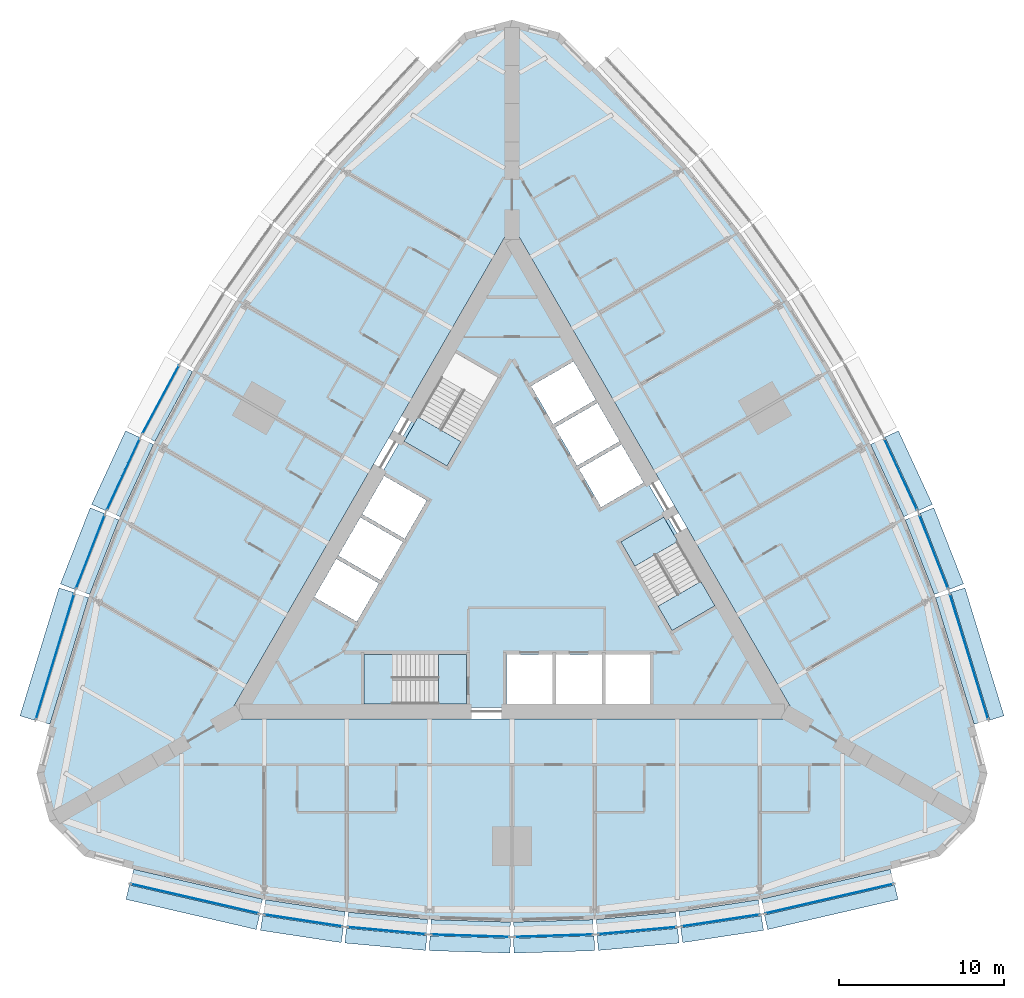
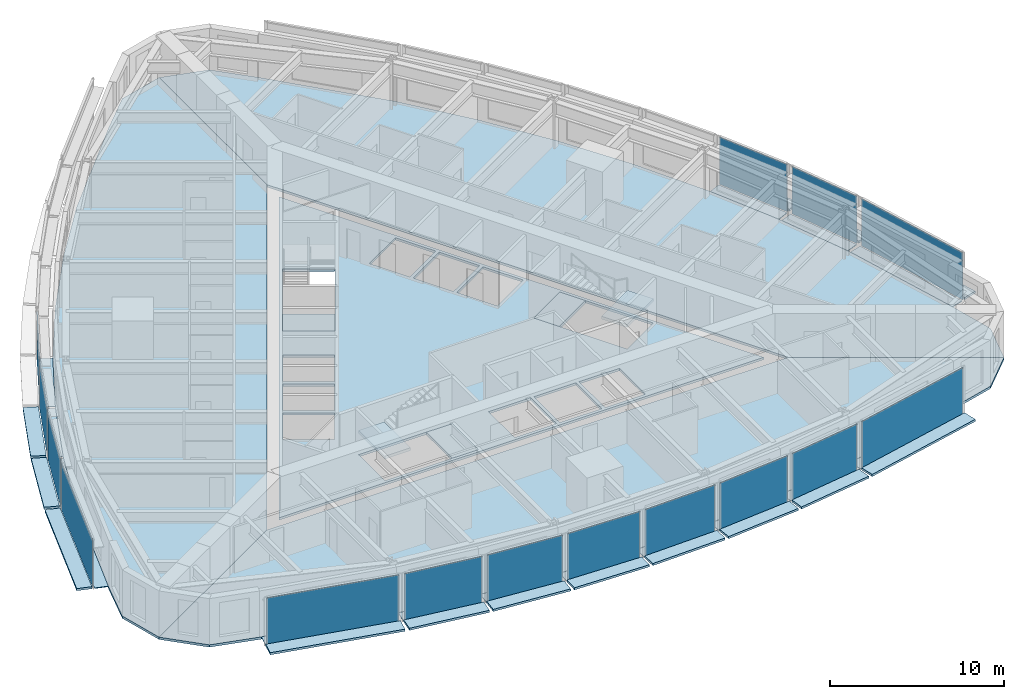
# One storey, part 6 of 14: 44 plates, 9 slabs, 18 elements without a shape of their own.
"""IFC4 building model written with IfcOpenShell, lengths in metres."""

from ifc_helpers import new_model, si_unit, direction, frame, origin, origin_2d, place, context, subcontext, project, spatial, polyline, rectangle, outline, extrude, material, layer, layer_set, type_object, element, aggregate, save


model = new_model("IFC4")

# Units and contexts
model_context = context("Model", 3, precision=1e-05, world=origin(), true_north=direction((0.0, 1.0)))
body_context = subcontext(model_context, "Body", "Model", "MODEL_VIEW")
ifc_project = project(units=[si_unit("LENGTHUNIT", "METRE"), si_unit("AREAUNIT", "SQUARE_METRE"), si_unit("VOLUMEUNIT", "CUBIC_METRE"), si_unit("PLANEANGLEUNIT", "RADIAN"), si_unit("MASSUNIT", "GRAM", prefix="KILO")], contexts=[model_context])

# Site, building, storey
site_placement = place(None, origin())
site = spatial("IfcSite", under=ifc_project, at=site_placement, CompositionType="ELEMENT")
building_placement = place(site_placement, origin())
building = spatial("IfcBuilding", under=site, at=building_placement, Name="Trikona Tower", CompositionType="ELEMENT")
storey_placement = place(building_placement, frame((0.0, 0.0, 55.699951171875)))
storey = spatial("IfcBuildingStorey", under=building, at=storey_placement, Name="L13", CompositionType="ELEMENT", Elevation=55.699951171875)

# Plates
ifc_material_1 = material(Name="Aluminium bar grating", Category="aluminium")
ifc_layer_1 = layer(ifc_material_1, 0.050048828125)
ifc_layer_set_1 = layer_set([ifc_layer_1], Name="Cavity catwalk grating")
plate_type_1 = type_object("IfcPlateType", Name="Cavity catwalk grating", PredefinedType="USERDEFINED", material=ifc_layer_set_1)
plate_1_placement = place(storey_placement, frame((-19.09228515625, -20.377197265625, -0.0498046875), z_axis=(0.0, 0.0, 1.0), x_axis=(0.974277718622, -0.225350675607, 0.0)))
element("IfcPlate", 1, at=plate_1_placement, inside=storey, type_object=plate_type_1, Name="Cavity catwalk L13-00", ObjectType="CATWALK GRATING", PredefinedType="USERDEFINED", context=body_context, shape_type="SweptSolid", body=[
    extrude(rectangle(XDim=8.01123046875, YDim=0.820068359375, at=origin_2d()), origin(), (0.0, 0.0, 1.0), 0.050048828125),
])
plate_2_placement = place(storey_placement, frame((-12.561767578125, -21.688720703125, -0.0498046875), z_axis=(0.0, 0.0, 1.0), x_axis=(0.988617896768, -0.150448177754, 0.0)))
element("IfcPlate", 2, at=plate_2_placement, inside=storey, type_object=plate_type_1, Name="Cavity catwalk L13-01", ObjectType="CATWALK GRATING", PredefinedType="USERDEFINED", context=body_context, shape_type="SweptSolid", body=[
    extrude(rectangle(XDim=4.857666015625, YDim=0.820068359375, at=origin_2d()), origin(), (0.0, 0.0, 1.0), 0.050048828125),
])
plate_3_placement = place(storey_placement, frame((-7.537353515625, -22.300537109375, -0.0498046875), z_axis=(0.0, 0.0, 1.0), x_axis=(0.995858098326, -0.090921108655, 0.0)))
element("IfcPlate", 3, at=plate_3_placement, inside=storey, type_object=plate_type_1, Name="Cavity catwalk L13-02", ObjectType="CATWALK GRATING", PredefinedType="USERDEFINED", context=body_context, shape_type="SweptSolid", body=[
    extrude(rectangle(XDim=4.82080078125, YDim=0.820068359375, at=origin_2d()), origin(), (0.0, 0.0, 1.0), 0.050048828125),
])
for number, where, z_axis, x_axis, name in (
    (4, (-2.512451171875, -22.606201171875, -0.0498046875), (0.0, 0.0, 1.0), (0.999537048889, -0.030425119525, 0.0), "Cavity catwalk L13-03"),
    (5, (2.512451171875, -22.606201171875, -0.0498046875), (0.0, 0.0, 1.0), (0.999537048889, 0.030425119525, 0.0), "Cavity catwalk L13-04"),
):
    element("IfcPlate", number, at=place(storey_placement, frame(where, z_axis=z_axis, x_axis=x_axis)), inside=storey, type_object=plate_type_1, Name=name, ObjectType="CATWALK GRATING", PredefinedType="USERDEFINED", context=body_context, shape_type="SweptSolid", body=[
        extrude(rectangle(XDim=4.80224609375, YDim=0.820068359375, at=origin_2d()), origin(), (0.0, 0.0, 1.0), 0.050048828125),
    ])
plate_4_placement = place(storey_placement, frame((7.537353515625, -22.300537109375, -0.0498046875), z_axis=(0.0, 0.0, 1.0), x_axis=(0.995858098326, 0.090921108655, 0.0)))
element("IfcPlate", 6, at=plate_4_placement, inside=storey, type_object=plate_type_1, Name="Cavity catwalk L13-05", ObjectType="CATWALK GRATING", PredefinedType="USERDEFINED", context=body_context, shape_type="SweptSolid", body=[
    extrude(rectangle(XDim=4.82080078125, YDim=0.820068359375, at=origin_2d()), origin(), (0.0, 0.0, 1.0), 0.050048828125),
])
plate_5_placement = place(storey_placement, frame((12.561767578125, -21.688720703125, -0.0498046875), z_axis=(0.0, 0.0, 1.0), x_axis=(0.988617896768, 0.150448177754, 0.0)))
element("IfcPlate", 7, at=plate_5_placement, inside=storey, type_object=plate_type_1, Name="Cavity catwalk L13-06", ObjectType="CATWALK GRATING", PredefinedType="USERDEFINED", context=body_context, shape_type="SweptSolid", body=[
    extrude(rectangle(XDim=4.857666015625, YDim=0.820068359375, at=origin_2d()), origin(), (0.0, 0.0, 1.0), 0.050048828125),
])
for number, where, z_axis, x_axis, name in (
    (8, (19.09228515625, -20.377197265625, -0.0498046875), (0.0, 0.0, 1.0), (0.974277718622, 0.225350675607, 0.0), "Cavity catwalk L13-07"),
    (9, (27.193359375, -6.345947265625, -0.0498046875), (0.0, 0.0, 1.0), (-0.291979449475, 0.956424592471, 0.0), "Cavity catwalk L13-12"),
):
    element("IfcPlate", number, at=place(storey_placement, frame(where, z_axis=z_axis, x_axis=x_axis)), inside=storey, type_object=plate_type_1, Name=name, ObjectType="CATWALK GRATING", PredefinedType="USERDEFINED", context=body_context, shape_type="SweptSolid", body=[
        extrude(rectangle(XDim=8.01123046875, YDim=0.820068359375, at=origin_2d()), origin(), (0.0, 0.0, 1.0), 0.050048828125),
    ])
plate_6_placement = place(storey_placement, frame((25.06396484375, -0.034423828125, -0.0498046875), z_axis=(0.0, 0.0, 1.0), x_axis=(-0.364008876551, 0.931395478726, 0.0)))
element("IfcPlate", 10, at=plate_6_placement, inside=storey, type_object=plate_type_1, Name="Cavity catwalk L13-13", ObjectType="CATWALK GRATING", PredefinedType="USERDEFINED", context=body_context, shape_type="SweptSolid", body=[
    extrude(rectangle(XDim=4.857666015625, YDim=0.820068359375, at=origin_2d()), origin(), (0.0, 0.0, 1.0), 0.050048828125),
])
plate_7_placement = place(storey_placement, frame((23.081298828125, 4.622802734375, -0.0498046875), z_axis=(0.0, 0.0, 1.0), x_axis=(-0.41919381307, 0.907896771161, 0.0)))
element("IfcPlate", 11, at=plate_7_placement, inside=storey, type_object=plate_type_1, Name="Cavity catwalk L13-14", ObjectType="CATWALK GRATING", PredefinedType="USERDEFINED", context=body_context, shape_type="SweptSolid", body=[
    extrude(rectangle(XDim=4.82080078125, YDim=0.820068359375, at=origin_2d()), origin(), (0.0, 0.0, 1.0), 0.050048828125),
])
plate_8_placement = place(storey_placement, frame((-20.833740234375, 9.127197265625, -0.0498046875), z_axis=(0.0, 0.0, 1.0), x_axis=(-0.473422672721, -0.880835383572, 0.0)))
element("IfcPlate", 12, at=plate_8_placement, inside=storey, type_object=plate_type_1, Name="Cavity catwalk L13-28", ObjectType="CATWALK GRATING", PredefinedType="USERDEFINED", context=body_context, shape_type="SweptSolid", body=[
    extrude(rectangle(XDim=4.80224609375, YDim=0.820068359375, at=origin_2d()), origin(), (0.0, 0.0, 1.0), 0.050048828125),
])
plate_9_placement = place(storey_placement, frame((-23.081298828125, 4.622802734375, -0.0498046875), z_axis=(0.0, 0.0, 1.0), x_axis=(-0.41919381307, -0.907896771161, 0.0)))
element("IfcPlate", 13, at=plate_9_placement, inside=storey, type_object=plate_type_1, Name="Cavity catwalk L13-29", ObjectType="CATWALK GRATING", PredefinedType="USERDEFINED", context=body_context, shape_type="SweptSolid", body=[
    extrude(rectangle(XDim=4.82080078125, YDim=0.820068359375, at=origin_2d()), origin(), (0.0, 0.0, 1.0), 0.050048828125),
])
plate_10_placement = place(storey_placement, frame((-25.06396484375, -0.034423828125, -0.0498046875), z_axis=(0.0, 0.0, 1.0), x_axis=(-0.364008876551, -0.931395478726, 0.0)))
element("IfcPlate", 14, at=plate_10_placement, inside=storey, type_object=plate_type_1, Name="Cavity catwalk L13-30", ObjectType="CATWALK GRATING", PredefinedType="USERDEFINED", context=body_context, shape_type="SweptSolid", body=[
    extrude(rectangle(XDim=4.857666015625, YDim=0.820068359375, at=origin_2d()), origin(), (0.0, 0.0, 1.0), 0.050048828125),
])
plate_11_placement = place(storey_placement, frame((-27.193359375, -6.345947265625, -0.0498046875), z_axis=(0.0, 0.0, 1.0), x_axis=(-0.291979449475, -0.956424592471, 0.0)))
element("IfcPlate", 15, at=plate_11_placement, inside=storey, type_object=plate_type_1, Name="Cavity catwalk L13-31", ObjectType="CATWALK GRATING", PredefinedType="USERDEFINED", context=body_context, shape_type="SweptSolid", body=[
    extrude(rectangle(XDim=8.01123046875, YDim=0.820068359375, at=origin_2d()), origin(), (0.0, 0.0, 1.0), 0.050048828125),
])

# Slabs
ifc_material_2 = material(Name="Concrete f'c 5000 psi lightweight on composite steel deck", Category="concrete")
ifc_layer_2 = layer(ifc_material_2, 0.1650390625)
ifc_layer_set_2 = layer_set([ifc_layer_2], Name="Composite floor slab 165")
slab_type_1 = type_object("IfcSlabType", Name="Composite floor slab 165", PredefinedType="FLOOR", material=ifc_layer_set_2)
slab_1_placement = place(storey_placement, frame((0.0, 0.0, -0.1650390625)))
element("IfcSlab", 16, at=slab_1_placement, inside=storey, type_object=slab_type_1, Name="Floor slab L13 core", PredefinedType="FLOOR", context=body_context, shape_type="SweptSolid", body=[
    extrude(outline(polyline([(-16.06689453125, -9.2763671875), (16.06689453125, -9.2763671875), (0.0, 18.552490234375), (-16.06689453125, -9.2763671875)]), holes=[polyline([(12.285400390625, -3.126220703125), (9.185302734375, 2.2431640625), (6.587158203125, 0.7431640625), (9.687255859375, -4.626220703125), (12.285400390625, -3.126220703125)]), polyline([(8.340087890625, -9.06640625), (8.340087890625, -6.086181640625), (5.659912109375, -6.086181640625), (5.659912109375, -9.06640625), (8.340087890625, -9.06640625)]), polyline([(5.390869140625, 2.835205078125), (7.9716796875, 4.3251953125), (6.631591796875, 6.646240234375), (4.05078125, 5.15625), (5.390869140625, 2.835205078125)]), polyline([(2.600830078125, 7.667724609375), (3.94091796875, 5.3466796875), (6.521484375, 6.8369140625), (5.181640625, 9.15771484375), (2.600830078125, 7.667724609375)]), polyline([(5.43994140625, -6.086181640625), (2.659912109375, -6.086181640625), (2.659912109375, -9.06640625), (5.43994140625, -9.06640625), (5.43994140625, -6.086181640625)]), polyline([(3.731689453125, 11.669189453125), (1.15087890625, 10.17919921875), (2.490966796875, 7.858154296875), (5.071533203125, 9.34814453125), (3.731689453125, 11.669189453125)]), polyline([(-0.340087890625, -6.086181640625), (-0.340087890625, -9.06640625), (2.43994140625, -9.06640625), (2.43994140625, -6.086181640625), (-0.340087890625, -6.086181640625)]), polyline([(-3.435302734375, 12.202392578125), (-6.535400390625, 6.8330078125), (-3.937255859375, 5.3330078125), (-0.837158203125, 10.702392578125), (-3.435302734375, 12.202392578125)]), polyline([(-8.949951171875, -9.076416015625), (-2.75, -9.076416015625), (-2.75, -6.076416015625), (-8.949951171875, -6.076416015625), (-8.949951171875, -9.076416015625)]), polyline([(-5.15087890625, 3.2509765625), (-7.731689453125, 4.740966796875), (-9.071533203125, 2.419921875), (-6.490966796875, 0.929931640625), (-5.15087890625, 3.2509765625)]), polyline([(-7.94091796875, -1.581298828125), (-6.600830078125, 0.739501953125), (-9.181640625, 2.2294921875), (-10.521484375, -0.09130859375), (-7.94091796875, -1.581298828125)]), polyline([(-11.9716796875, -2.602783203125), (-9.390869140625, -4.093017578125), (-8.05078125, -1.77197265625), (-10.631591796875, -0.281982421875), (-11.9716796875, -2.602783203125)])]), origin(), (0.0, 0.0, 1.0), 0.1650390625),
])
slab_2_placement = place(storey_placement, frame((0.0, 0.0, -0.1650390625)))
element("IfcSlab", 17, at=slab_2_placement, inside=storey, type_object=slab_type_1, Name="Floor slab L13 south", PredefinedType="FLOOR", context=body_context, shape_type="SweptSolid", body=[
    extrude(outline(polyline([(25.88671875, -18.279052734375), (28.0, -16.165771484375), (17.279296875, -9.976318359375), (-17.279296875, -9.976318359375), (-28.0, -16.165771484375), (-25.88671875, -18.279052734375), (-23.0, -19.052490234375), (-15.0, -20.903076171875), (-10.0, -21.663818359375), (-5.0, -22.120361328125), (0.0, -22.272705078125), (5.0, -22.120361328125), (10.0, -21.663818359375), (15.0, -20.903076171875), (23.0, -19.052490234375), (25.88671875, -18.279052734375)])), origin(), (0.0, 0.0, 1.0), 0.1650390625),
])
slab_3_placement = place(storey_placement, frame((0.0, 0.0, -0.1650390625)))
element("IfcSlab", 18, at=slab_3_placement, inside=storey, type_object=slab_type_1, Name="Floor slab L13 north-east", PredefinedType="FLOOR", context=body_context, shape_type="SweptSolid", body=[
    extrude(outline(polyline([(2.88671875, 31.55810546875), (0.0, 32.33154296875), (0.0, 19.95263671875), (17.279296875, -9.976318359375), (28.0, -16.165771484375), (28.7734375, -13.279052734375), (28.0, -10.392333984375), (25.6025390625, -2.538818359375), (23.761474609375, 2.171630859375), (21.65673828125, 6.72998046875), (19.28857421875, 11.13623046875), (16.65673828125, 15.390380859375), (13.761474609375, 19.4921875), (10.6025390625, 23.44189453125), (5.0, 29.44482421875), (2.88671875, 31.55810546875)])), origin(), (0.0, 0.0, 1.0), 0.1650390625),
])
slab_4_placement = place(storey_placement, frame((0.0, 0.0, -0.1650390625)))
element("IfcSlab", 19, at=slab_4_placement, inside=storey, type_object=slab_type_1, Name="Floor slab L13 north-west", PredefinedType="FLOOR", context=body_context, shape_type="SweptSolid", body=[
    extrude(outline(polyline([(0.0, 19.95263671875), (0.0, 32.33154296875), (-2.88671875, 31.55810546875), (-5.0, 29.44482421875), (-10.6025390625, 23.44189453125), (-13.761474609375, 19.4921875), (-16.65673828125, 15.390380859375), (-19.28857421875, 11.13623046875), (-21.65673828125, 6.72998046875), (-23.761474609375, 2.171630859375), (-25.6025390625, -2.538818359375), (-28.0, -10.392333984375), (-28.7734375, -13.279052734375), (-28.0, -16.165771484375), (-17.279296875, -9.976318359375), (0.0, 19.95263671875)])), origin(), (0.0, 0.0, 1.0), 0.1650390625),
])

# Curtain wall, plate
ifc_material_3 = material(Name="Aluminium curtain wall system", Category="aluminium")
curtain_wall_type = type_object("IfcCurtainWallType", Name="Curtain wall DS1", PredefinedType="NOTDEFINED", material=ifc_material_3)
curtain_wall_1_placement = place(storey_placement, origin())
curtain_wall_1 = element("IfcCurtainWall", 20, at=curtain_wall_1_placement, inside=storey, type_object=curtain_wall_type, Name="Curtain wall DS1 L13", PredefinedType="NOTDEFINED")
ifc_material_4 = material(Name="Laminated clear glass", Category="glass")
ifc_layer_3 = layer(ifc_material_4, 0.028076171875)
ifc_layer_set_3 = layer_set([ifc_layer_3], Name="Glass panel DS1")
plate_type_2 = type_object("IfcPlateType", Name="Glass panel DS1", PredefinedType="CURTAIN_PANEL", material=ifc_layer_set_3)
plate_12_placement = place(storey_placement, frame((-19.202880859375, -20.854736328125, 0.0), z_axis=(0.0, 0.0, 1.0), x_axis=(0.974279427173, -0.225343288756, 0.0)))
plate_12 = element("IfcPlate", 21, at=plate_12_placement, type_object=plate_type_2, Name="CW-DS1 panel 1.1", PredefinedType="CURTAIN_PANEL", context=body_context, shape_type="SweptSolid", body=[
    extrude(rectangle(XDim=7.93115234375, YDim=0.028076171875, at=origin_2d()), origin(), (0.0, 0.0, 1.0), 3.320068359375),
])
aggregate(curtain_wall_1, [plate_12])

curtain_wall_2_placement = place(storey_placement, origin())
curtain_wall_2 = element("IfcCurtainWall", 22, at=curtain_wall_2_placement, inside=storey, type_object=curtain_wall_type, Name="Curtain wall DS1 L13", PredefinedType="NOTDEFINED")
plate_13_placement = place(storey_placement, frame((-12.635498046875, -22.173095703125, 0.0), z_axis=(0.0, 0.0, 1.0), x_axis=(0.988619492156, -0.150437693845, 0.0)))
plate_13 = element("IfcPlate", 23, at=plate_13_placement, type_object=plate_type_2, Name="CW-DS1 panel 1.1", PredefinedType="CURTAIN_PANEL", context=body_context, shape_type="SweptSolid", body=[
    extrude(rectangle(XDim=4.777587890625, YDim=0.028076171875, at=origin_2d()), origin(), (0.0, 0.0, 1.0), 3.320068359375),
])
aggregate(curtain_wall_2, [plate_13])

curtain_wall_3_placement = place(storey_placement, origin())
curtain_wall_3 = element("IfcCurtainWall", 24, at=curtain_wall_3_placement, inside=storey, type_object=curtain_wall_type, Name="Curtain wall DS1 L13", PredefinedType="NOTDEFINED")
plate_14_placement = place(storey_placement, frame((-7.581787109375, -22.788330078125, 0.0), z_axis=(0.0, 0.0, 1.0), x_axis=(0.995857840485, -0.090923932737, 0.0)))
plate_14 = element("IfcPlate", 25, at=plate_14_placement, type_object=plate_type_2, Name="CW-DS1 panel 1.1", PredefinedType="CURTAIN_PANEL", context=body_context, shape_type="SweptSolid", body=[
    extrude(rectangle(XDim=4.74072265625, YDim=0.028076171875, at=origin_2d()), origin(), (0.0, 0.0, 1.0), 3.320068359375),
])
aggregate(curtain_wall_3, [plate_14])

curtain_wall_4_placement = place(storey_placement, origin())
curtain_wall_4 = element("IfcCurtainWall", 26, at=curtain_wall_4_placement, inside=storey, type_object=curtain_wall_type, Name="Curtain wall DS1 L13", PredefinedType="NOTDEFINED")
plate_15_placement = place(storey_placement, frame((-2.52734375, -23.09619140625, 0.0), z_axis=(0.0, 0.0, 1.0), x_axis=(0.999536695965, -0.030436711692, 0.0)))
plate_15 = element("IfcPlate", 27, at=plate_15_placement, type_object=plate_type_2, Name="CW-DS1 panel 1.1", PredefinedType="CURTAIN_PANEL", context=body_context, shape_type="SweptSolid", body=[
    extrude(rectangle(XDim=4.72216796875, YDim=0.028076171875, at=origin_2d()), origin(), (0.0, 0.0, 1.0), 3.320068359375),
])
aggregate(curtain_wall_4, [plate_15])

curtain_wall_5_placement = place(storey_placement, origin())
curtain_wall_5 = element("IfcCurtainWall", 28, at=curtain_wall_5_placement, inside=storey, type_object=curtain_wall_type, Name="Curtain wall DS1 L13", PredefinedType="NOTDEFINED")
plate_16_placement = place(storey_placement, frame((2.52734375, -23.09619140625, 0.0), z_axis=(0.0, 0.0, 1.0), x_axis=(0.999536695965, 0.030436711692, 0.0)))
plate_16 = element("IfcPlate", 29, at=plate_16_placement, type_object=plate_type_2, Name="CW-DS1 panel 1.1", PredefinedType="CURTAIN_PANEL", context=body_context, shape_type="SweptSolid", body=[
    extrude(rectangle(XDim=4.72216796875, YDim=0.028076171875, at=origin_2d()), origin(), (0.0, 0.0, 1.0), 3.320068359375),
])
aggregate(curtain_wall_5, [plate_16])

curtain_wall_6_placement = place(storey_placement, origin())
curtain_wall_6 = element("IfcCurtainWall", 30, at=curtain_wall_6_placement, inside=storey, type_object=curtain_wall_type, Name="Curtain wall DS1 L13", PredefinedType="NOTDEFINED")
plate_17_placement = place(storey_placement, frame((7.581787109375, -22.788330078125, 0.0), z_axis=(0.0, 0.0, 1.0), x_axis=(0.995857840485, 0.090923932737, 0.0)))
plate_17 = element("IfcPlate", 31, at=plate_17_placement, type_object=plate_type_2, Name="CW-DS1 panel 1.1", PredefinedType="CURTAIN_PANEL", context=body_context, shape_type="SweptSolid", body=[
    extrude(rectangle(XDim=4.74072265625, YDim=0.028076171875, at=origin_2d()), origin(), (0.0, 0.0, 1.0), 3.320068359375),
])
aggregate(curtain_wall_6, [plate_17])

curtain_wall_7_placement = place(storey_placement, origin())
curtain_wall_7 = element("IfcCurtainWall", 32, at=curtain_wall_7_placement, inside=storey, type_object=curtain_wall_type, Name="Curtain wall DS1 L13", PredefinedType="NOTDEFINED")
plate_18_placement = place(storey_placement, frame((12.635498046875, -22.173095703125, 0.0), z_axis=(0.0, 0.0, 1.0), x_axis=(0.988619492156, 0.150437693845, 0.0)))
plate_18 = element("IfcPlate", 33, at=plate_18_placement, type_object=plate_type_2, Name="CW-DS1 panel 1.1", PredefinedType="CURTAIN_PANEL", context=body_context, shape_type="SweptSolid", body=[
    extrude(rectangle(XDim=4.777587890625, YDim=0.028076171875, at=origin_2d()), origin(), (0.0, 0.0, 1.0), 3.320068359375),
])
aggregate(curtain_wall_7, [plate_18])

curtain_wall_8_placement = place(storey_placement, origin())
curtain_wall_8 = element("IfcCurtainWall", 34, at=curtain_wall_8_placement, inside=storey, type_object=curtain_wall_type, Name="Curtain wall DS1 L13", PredefinedType="NOTDEFINED")
plate_19_placement = place(storey_placement, frame((19.202880859375, -20.854736328125, 0.0), z_axis=(0.0, 0.0, 1.0), x_axis=(0.974279427173, 0.225343288756, 0.0)))
plate_19 = element("IfcPlate", 35, at=plate_19_placement, type_object=plate_type_2, Name="CW-DS1 panel 1.1", PredefinedType="CURTAIN_PANEL", context=body_context, shape_type="SweptSolid", body=[
    extrude(rectangle(XDim=7.93115234375, YDim=0.028076171875, at=origin_2d()), origin(), (0.0, 0.0, 1.0), 3.320068359375),
])
aggregate(curtain_wall_8, [plate_19])

curtain_wall_9_placement = place(storey_placement, origin())
curtain_wall_9 = element("IfcCurtainWall", 36, at=curtain_wall_9_placement, inside=storey, type_object=curtain_wall_type, Name="Curtain wall DS1 L13", PredefinedType="NOTDEFINED")
plate_20_placement = place(storey_placement, frame((27.662109375, -6.202880859375, 0.0), z_axis=(0.0, 0.0, 1.0), x_axis=(-0.291984287868, 0.956423115383, 0.0)))
plate_20 = element("IfcPlate", 37, at=plate_20_placement, type_object=plate_type_2, Name="CW-DS1 panel 1.1", PredefinedType="CURTAIN_PANEL", context=body_context, shape_type="SweptSolid", body=[
    extrude(rectangle(XDim=7.93115234375, YDim=0.028076171875, at=origin_2d()), origin(), (0.0, 0.0, 1.0), 3.320068359375),
])
aggregate(curtain_wall_9, [plate_20])

curtain_wall_10_placement = place(storey_placement, origin())
curtain_wall_10 = element("IfcCurtainWall", 38, at=curtain_wall_10_placement, inside=storey, type_object=curtain_wall_type, Name="Curtain wall DS1 L13", PredefinedType="NOTDEFINED")
plate_21_placement = place(storey_placement, frame((25.520263671875, 0.14404296875, 0.0), z_axis=(0.0, 0.0, 1.0), x_axis=(-0.36400756977, 0.931395989443, 0.0)))
plate_21 = element("IfcPlate", 39, at=plate_21_placement, type_object=plate_type_2, Name="CW-DS1 panel 1.1", PredefinedType="CURTAIN_PANEL", context=body_context, shape_type="SweptSolid", body=[
    extrude(rectangle(XDim=4.777587890625, YDim=0.028076171875, at=origin_2d()), origin(), (0.0, 0.0, 1.0), 3.320068359375),
])
aggregate(curtain_wall_10, [plate_21])

curtain_wall_11_placement = place(storey_placement, origin())
curtain_wall_11 = element("IfcCurtainWall", 40, at=curtain_wall_11_placement, inside=storey, type_object=curtain_wall_type, Name="Curtain wall DS1 L13", PredefinedType="NOTDEFINED")
plate_22_placement = place(storey_placement, frame((23.5263671875, 4.828125, 0.0), z_axis=(0.0, 0.0, 1.0), x_axis=(-0.419190155352, 0.907898459992, 0.0)))
plate_22 = element("IfcPlate", 41, at=plate_22_placement, type_object=plate_type_2, Name="CW-DS1 panel 1.1", PredefinedType="CURTAIN_PANEL", context=body_context, shape_type="SweptSolid", body=[
    extrude(rectangle(XDim=4.740966796875, YDim=0.028076171875, at=origin_2d()), origin(), (0.0, 0.0, 1.0), 3.320068359375),
])
aggregate(curtain_wall_11, [plate_22])

curtain_wall_12_placement = place(storey_placement, origin())
curtain_wall_12 = element("IfcCurtainWall", 42, at=curtain_wall_12_placement, inside=storey, type_object=curtain_wall_type, Name="Curtain wall DS1 L13", PredefinedType="NOTDEFINED")
plate_23_placement = place(storey_placement, frame((-21.265380859375, 9.359130859375, 0.0), z_axis=(0.0, 0.0, 1.0), x_axis=(-0.473408350896, -0.880843080975, 0.0)))
plate_23 = element("IfcPlate", 43, at=plate_23_placement, type_object=plate_type_2, Name="CW-DS1 panel 1.1", PredefinedType="CURTAIN_PANEL", context=body_context, shape_type="SweptSolid", body=[
    extrude(rectangle(XDim=4.72216796875, YDim=0.028076171875, at=origin_2d()), origin(), (0.0, 0.0, 1.0), 3.320068359375),
])
aggregate(curtain_wall_12, [plate_23])

curtain_wall_13_placement = place(storey_placement, origin())
curtain_wall_13 = element("IfcCurtainWall", 44, at=curtain_wall_13_placement, inside=storey, type_object=curtain_wall_type, Name="Curtain wall DS1 L13", PredefinedType="NOTDEFINED")
plate_24_placement = place(storey_placement, frame((-23.5263671875, 4.828125, 0.0), z_axis=(0.0, 0.0, 1.0), x_axis=(-0.419190155352, -0.907898459992, 0.0)))
plate_24 = element("IfcPlate", 45, at=plate_24_placement, type_object=plate_type_2, Name="CW-DS1 panel 1.1", PredefinedType="CURTAIN_PANEL", context=body_context, shape_type="SweptSolid", body=[
    extrude(rectangle(XDim=4.740966796875, YDim=0.028076171875, at=origin_2d()), origin(), (0.0, 0.0, 1.0), 3.320068359375),
])
aggregate(curtain_wall_13, [plate_24])

curtain_wall_14_placement = place(storey_placement, origin())
curtain_wall_14 = element("IfcCurtainWall", 46, at=curtain_wall_14_placement, inside=storey, type_object=curtain_wall_type, Name="Curtain wall DS1 L13", PredefinedType="NOTDEFINED")
plate_25_placement = place(storey_placement, frame((-25.520263671875, 0.14404296875, 0.0), z_axis=(0.0, 0.0, 1.0), x_axis=(-0.36400756977, -0.931395989443, 0.0)))
plate_25 = element("IfcPlate", 47, at=plate_25_placement, type_object=plate_type_2, Name="CW-DS1 panel 1.1", PredefinedType="CURTAIN_PANEL", context=body_context, shape_type="SweptSolid", body=[
    extrude(rectangle(XDim=4.777587890625, YDim=0.028076171875, at=origin_2d()), origin(), (0.0, 0.0, 1.0), 3.320068359375),
])
aggregate(curtain_wall_14, [plate_25])

curtain_wall_15_placement = place(storey_placement, origin())
curtain_wall_15 = element("IfcCurtainWall", 48, at=curtain_wall_15_placement, inside=storey, type_object=curtain_wall_type, Name="Curtain wall DS1 L13", PredefinedType="NOTDEFINED")
plate_26_placement = place(storey_placement, frame((-27.662109375, -6.202880859375, 0.0), z_axis=(0.0, 0.0, 1.0), x_axis=(-0.291984287868, -0.956423115383, 0.0)))
plate_26 = element("IfcPlate", 49, at=plate_26_placement, type_object=plate_type_2, Name="CW-DS1 panel 1.1", PredefinedType="CURTAIN_PANEL", context=body_context, shape_type="SweptSolid", body=[
    extrude(rectangle(XDim=7.93115234375, YDim=0.028076171875, at=origin_2d()), origin(), (0.0, 0.0, 1.0), 3.320068359375),
])
aggregate(curtain_wall_15, [plate_26])

# Plates
ifc_material_5 = material(Name="Aluminium plate fin, pale anodised, on stainless steel outriggers", Category="steel")
ifc_layer_4 = layer(ifc_material_5, 0.14990234375)
ifc_layer_set_4 = layer_set([ifc_layer_4], Name="Outer skin fin 900")
plate_type_3 = type_object("IfcPlateType", Name="Outer skin fin 900", PredefinedType="USERDEFINED", material=ifc_layer_set_4)
plate_27_placement = place(storey_placement, frame((-19.322265625, -21.37109375, 0.0), z_axis=(0.0, 0.0, 1.0), x_axis=(0.974277718622, -0.225350675607, 0.0)))
element("IfcPlate", 50, at=plate_27_placement, inside=storey, type_object=plate_type_3, Name="Outer skin fin L13-00", ObjectType="FIN", PredefinedType="USERDEFINED", context=body_context, shape_type="SweptSolid", body=[
    extrude(rectangle(XDim=8.09130859375, YDim=0.89990234375, at=origin_2d()), origin(), (0.0, 0.0, 1.0), 0.14990234375),
])
plate_28_placement = place(storey_placement, frame((-12.715087890625, -22.697265625, 0.0), z_axis=(0.0, 0.0, 1.0), x_axis=(0.988617896768, -0.150448177754, 0.0)))
element("IfcPlate", 51, at=plate_28_placement, inside=storey, type_object=plate_type_3, Name="Outer skin fin L13-01", ObjectType="FIN", PredefinedType="USERDEFINED", context=body_context, shape_type="SweptSolid", body=[
    extrude(rectangle(XDim=4.9375, YDim=0.89990234375, at=origin_2d()), origin(), (0.0, 0.0, 1.0), 0.14990234375),
])
plate_29_placement = place(storey_placement, frame((-7.6298828125, -23.316162109375, 0.0), z_axis=(0.0, 0.0, 1.0), x_axis=(0.995858098326, -0.090921108655, 0.0)))
element("IfcPlate", 52, at=plate_29_placement, inside=storey, type_object=plate_type_3, Name="Outer skin fin L13-02", ObjectType="FIN", PredefinedType="USERDEFINED", context=body_context, shape_type="SweptSolid", body=[
    extrude(rectangle(XDim=4.90087890625, YDim=0.89990234375, at=origin_2d()), origin(), (0.0, 0.0, 1.0), 0.14990234375),
])
for number, where, z_axis, x_axis, name in (
    (53, (-2.54345703125, -23.625732421875, 0.0), (0.0, 0.0, 1.0), (0.999537048889, -0.030425119525, 0.0), "Outer skin fin L13-03"),
    (54, (2.54345703125, -23.625732421875, 0.0), (0.0, 0.0, 1.0), (0.999537048889, 0.030425119525, 0.0), "Outer skin fin L13-04"),
):
    element("IfcPlate", number, at=place(storey_placement, frame(where, z_axis=z_axis, x_axis=x_axis)), inside=storey, type_object=plate_type_3, Name=name, ObjectType="FIN", PredefinedType="USERDEFINED", context=body_context, shape_type="SweptSolid", body=[
        extrude(rectangle(XDim=4.88232421875, YDim=0.89990234375, at=origin_2d()), origin(), (0.0, 0.0, 1.0), 0.14990234375),
    ])
plate_30_placement = place(storey_placement, frame((7.6298828125, -23.316162109375, 0.0), z_axis=(0.0, 0.0, 1.0), x_axis=(0.995858098326, 0.090921108655, 0.0)))
element("IfcPlate", 55, at=plate_30_placement, inside=storey, type_object=plate_type_3, Name="Outer skin fin L13-05", ObjectType="FIN", PredefinedType="USERDEFINED", context=body_context, shape_type="SweptSolid", body=[
    extrude(rectangle(XDim=4.90087890625, YDim=0.89990234375, at=origin_2d()), origin(), (0.0, 0.0, 1.0), 0.14990234375),
])
plate_31_placement = place(storey_placement, frame((12.715087890625, -22.697265625, 0.0), z_axis=(0.0, 0.0, 1.0), x_axis=(0.988617896768, 0.150448177754, 0.0)))
element("IfcPlate", 56, at=plate_31_placement, inside=storey, type_object=plate_type_3, Name="Outer skin fin L13-06", ObjectType="FIN", PredefinedType="USERDEFINED", context=body_context, shape_type="SweptSolid", body=[
    extrude(rectangle(XDim=4.9375, YDim=0.89990234375, at=origin_2d()), origin(), (0.0, 0.0, 1.0), 0.14990234375),
])
for number, where, z_axis, x_axis, name in (
    (57, (19.322265625, -21.37109375, 0.0), (0.0, 0.0, 1.0), (0.974277718622, 0.225350675607, 0.0), "Outer skin fin L13-07"),
    (58, (28.1689453125, -6.048095703125, 0.0), (0.0, 0.0, 1.0), (-0.291979449475, 0.956424592471, 0.0), "Outer skin fin L13-12"),
):
    element("IfcPlate", number, at=place(storey_placement, frame(where, z_axis=z_axis, x_axis=x_axis)), inside=storey, type_object=plate_type_3, Name=name, ObjectType="FIN", PredefinedType="USERDEFINED", context=body_context, shape_type="SweptSolid", body=[
        extrude(rectangle(XDim=8.09130859375, YDim=0.89990234375, at=origin_2d()), origin(), (0.0, 0.0, 1.0), 0.14990234375),
    ])
plate_32_placement = place(storey_placement, frame((26.013916015625, 0.3369140625, 0.0), z_axis=(0.0, 0.0, 1.0), x_axis=(-0.364008876551, 0.931395478726, 0.0)))
element("IfcPlate", 59, at=plate_32_placement, inside=storey, type_object=plate_type_3, Name="Outer skin fin L13-13", ObjectType="FIN", PredefinedType="USERDEFINED", context=body_context, shape_type="SweptSolid", body=[
    extrude(rectangle(XDim=4.9375, YDim=0.89990234375, at=origin_2d()), origin(), (0.0, 0.0, 1.0), 0.14990234375),
])
for number, where, z_axis, x_axis, name in (
    (60, (24.00732421875, 5.05029296875, 0.0), (0.0, 0.0, 1.0), (-0.41919381307, 0.907896771161, 0.0), "Outer skin fin L13-14"),
    (61, (-24.00732421875, 5.05029296875, 0.0), (0.0, 0.0, 1.0), (-0.41919381307, -0.907896771161, 0.0), "Outer skin fin L13-29"),
):
    element("IfcPlate", number, at=place(storey_placement, frame(where, z_axis=z_axis, x_axis=x_axis)), inside=storey, type_object=plate_type_3, Name=name, ObjectType="FIN", PredefinedType="USERDEFINED", context=body_context, shape_type="SweptSolid", body=[
        extrude(rectangle(XDim=4.90087890625, YDim=0.89990234375, at=origin_2d()), origin(), (0.0, 0.0, 1.0), 0.14990234375),
    ])
plate_33_placement = place(storey_placement, frame((-26.013916015625, 0.3369140625, 0.0), z_axis=(0.0, 0.0, 1.0), x_axis=(-0.364008876551, -0.931395478726, 0.0)))
element("IfcPlate", 62, at=plate_33_placement, inside=storey, type_object=plate_type_3, Name="Outer skin fin L13-30", ObjectType="FIN", PredefinedType="USERDEFINED", context=body_context, shape_type="SweptSolid", body=[
    extrude(rectangle(XDim=4.9375, YDim=0.89990234375, at=origin_2d()), origin(), (0.0, 0.0, 1.0), 0.14990234375),
])
plate_34_placement = place(storey_placement, frame((-28.1689453125, -6.048095703125, 0.0), z_axis=(0.0, 0.0, 1.0), x_axis=(-0.291979449475, -0.956424592471, 0.0)))
element("IfcPlate", 63, at=plate_34_placement, inside=storey, type_object=plate_type_3, Name="Outer skin fin L13-31", ObjectType="FIN", PredefinedType="USERDEFINED", context=body_context, shape_type="SweptSolid", body=[
    extrude(rectangle(XDim=8.09130859375, YDim=0.89990234375, at=origin_2d()), origin(), (0.0, 0.0, 1.0), 0.14990234375),
])

# Stair, slabs
ifc_material_6 = material(Name="Concrete f'c 5000 psi", Category="concrete")
stair_type = type_object("IfcStairType", Name="Core stair", PredefinedType="HALF_TURN_STAIR", material=ifc_material_6)
stair_1_placement = place(storey_placement, origin())
stair_1 = element("IfcStair", 64, at=stair_1_placement, inside=storey, type_object=stair_type, Name="Stair A L13", PredefinedType="HALF_TURN_STAIR")
ifc_material_7 = material(Name="Concrete f'c 5000 psi", Category="concrete")
ifc_layer_5 = layer(ifc_material_7, 0.199951171875)
ifc_layer_set_5 = layer_set([ifc_layer_5], Name="Stair landing 200")
slab_type_2 = type_object("IfcSlabType", Name="Stair landing 200", PredefinedType="LANDING", material=ifc_layer_set_5)
slab_5_placement = place(storey_placement, frame((0.0, 0.0, -0.199951171875)))
slab_5 = element("IfcSlab", 65, at=slab_5_placement, type_object=slab_type_2, Name="ST-A landing 1", PredefinedType="LANDING", context=body_context, shape_type="SweptSolid", body=[
    extrude(outline(polyline([(-4.452880859375, -6.076416015625), (-2.75, -6.076416015625), (-2.75, -9.076416015625), (-4.452880859375, -9.076416015625), (-4.452880859375, -6.076416015625)])), origin(), (0.0, 0.0, 1.0), 0.199951171875),
])
slab_6_placement = place(storey_placement, frame((0.0, 0.0, 1.5)))
slab_6 = element("IfcSlab", 66, at=slab_6_placement, type_object=slab_type_2, Name="ST-A landing 2", PredefinedType="LANDING", context=body_context, shape_type="SweptSolid", body=[
    extrude(outline(polyline([(-8.949951171875, -6.076416015625), (-7.2470703125, -6.076416015625), (-7.2470703125, -9.076416015625), (-8.949951171875, -9.076416015625), (-8.949951171875, -6.076416015625)])), origin(), (0.0, 0.0, 1.0), 0.199951171875),
])
aggregate(stair_1, [slab_5, slab_6])

stair_2_placement = place(storey_placement, origin())
stair_2 = element("IfcStair", 67, at=stair_2_placement, inside=storey, type_object=stair_type, Name="Stair B L13", PredefinedType="HALF_TURN_STAIR")
slab_7_placement = place(storey_placement, frame((0.0, 0.0, -0.199951171875)))
slab_7 = element("IfcSlab", 68, at=slab_7_placement, type_object=slab_type_2, Name="ST-B landing 1", PredefinedType="LANDING", context=body_context, shape_type="SweptSolid", body=[
    extrude(outline(polyline([(7.438720703125, -0.731689453125), (6.587158203125, 0.7431640625), (9.185302734375, 2.2431640625), (10.036865234375, 0.768310546875), (7.438720703125, -0.731689453125)])), origin(), (0.0, 0.0, 1.0), 0.199951171875),
])
slab_8_placement = place(storey_placement, frame((0.0, 0.0, 1.5)))
slab_8 = element("IfcSlab", 69, at=slab_8_placement, type_object=slab_type_2, Name="ST-B landing 2", PredefinedType="LANDING", context=body_context, shape_type="SweptSolid", body=[
    extrude(outline(polyline([(9.687255859375, -4.626220703125), (8.835693359375, -3.1513671875), (11.433837890625, -1.6513671875), (12.285400390625, -3.126220703125), (9.687255859375, -4.626220703125)])), origin(), (0.0, 0.0, 1.0), 0.199951171875),
])
aggregate(stair_2, [slab_7, slab_8])

# Stair, slab
stair_3_placement = place(storey_placement, origin())
stair_3 = element("IfcStair", 70, at=stair_3_placement, inside=storey, type_object=stair_type, Name="Stair C L13", PredefinedType="HALF_TURN_STAIR")
slab_9_placement = place(storey_placement, frame((0.0, 0.0, -0.199951171875)))
slab_9 = element("IfcSlab", 71, at=slab_9_placement, type_object=slab_type_2, Name="ST-C landing 1", PredefinedType="LANDING", context=body_context, shape_type="SweptSolid", body=[
    extrude(outline(polyline([(-3.085693359375, 6.807861328125), (-3.937255859375, 5.3330078125), (-6.535400390625, 6.8330078125), (-5.683837890625, 8.307861328125), (-3.085693359375, 6.807861328125)])), origin(), (0.0, 0.0, 1.0), 0.199951171875),
])
aggregate(stair_3, [slab_9])

save(model, "model.ifc")
